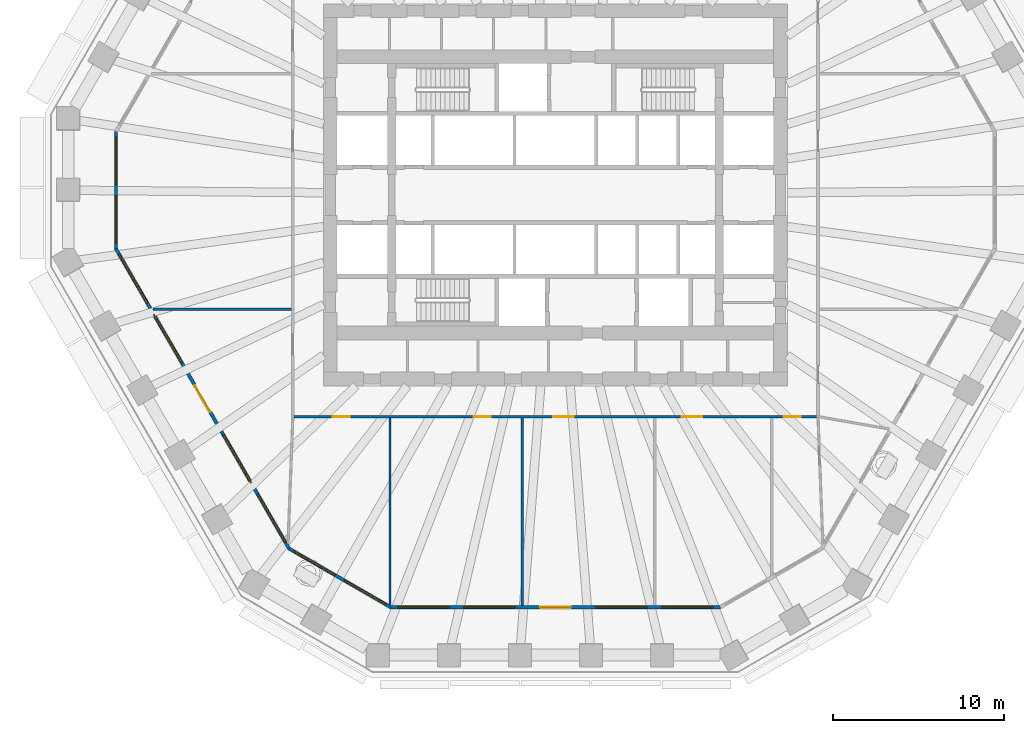
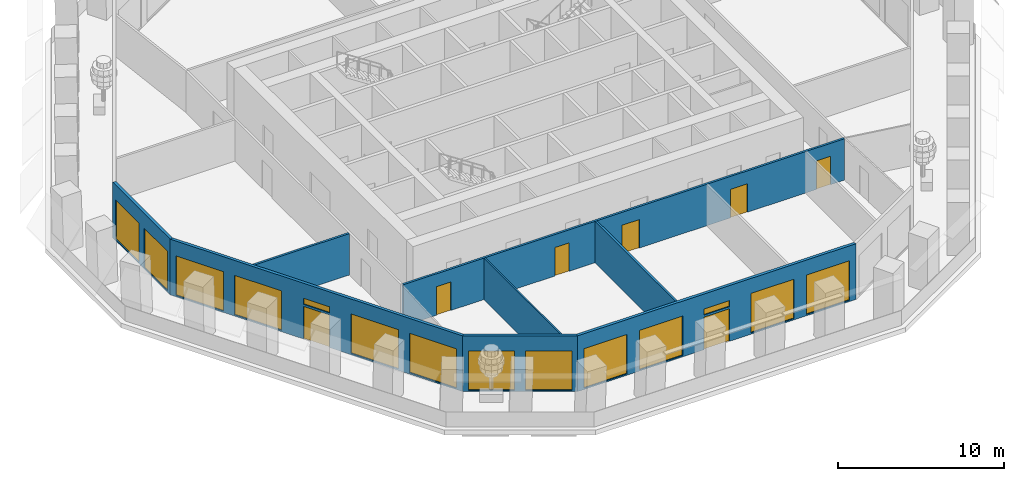
# One storey, part 3 of 12: 14 windows, 8 walls, 7 doors, 21 openings.
"""IFC4 building model written with IfcOpenShell, lengths in metres."""

import ifcopenshell
import ifcopenshell.guid

model = None  # the IFC model being written
_history = None  # IfcOwnerHistory: only IFC2X3 demands one
_inside = {}  # id of a spatial element -> (the spatial element, [elements in it])
_under = {}  # id of a project, library or spatial element -> (it, [spatial elements below it])
_declared = {}  # id of a project -> (the project, [libraries it declares])
_typed = {}  # id of a type object -> (the type object, [elements of that type])
_made_of = {}  # id of a material, layer set ... -> (it, [elements and type objects made of it])


def new_model(schema):
    """Start an empty IFC model of exactly this schema.

    Asked for "IFC4X3", IfcOpenShell would pick the latest addendum, in which some entities
    have other attributes; the version numbers below select the first issue.
    IFC2X3 requires an IfcOwnerHistory on every rooted entity: one is made here for all.
    """
    global model, _history
    if schema == "IFC4X3":
        model = ifcopenshell.file(schema_version=(4, 3, 0, 0))
    else:
        model = ifcopenshell.file(schema=schema)
    _inside.clear()
    _under.clear()
    _declared.clear()
    _typed.clear()
    _made_of.clear()
    _history = None
    if model.schema == "IFC2X3":
        org = make("IfcOrganization", Name="unknown")
        user = make(
            "IfcPersonAndOrganization",
            ThePerson=make("IfcPerson", FamilyName="unknown"),
            TheOrganization=org,
        )
        app = make(
            "IfcApplication",
            ApplicationDeveloper=org,
            Version="unknown",
            ApplicationFullName="unknown",
            ApplicationIdentifier="unknown",
        )
        _history = make(
            "IfcOwnerHistory",
            OwningUser=user,
            OwningApplication=app,
            ChangeAction="ADDED",
            CreationDate=0,
        )
    return model


def make(cls, **values):
    """One entity of the class cls with the attributes given. An attribute that is None is left unset."""
    return model.create_entity(
        cls, **{name: value for name, value in values.items() if value is not None}
    )


def rooted(cls, **values):
    """An entity with a GlobalId (a new one), such as an element, a storey or a relation."""
    return make(cls, GlobalId=ifcopenshell.guid.new(), OwnerHistory=_history, **values)


def si_unit(unit_type, name, prefix=None):
    """IfcSIUnit, for example si_unit("LENGTHUNIT", "METRE", prefix="MILLI")."""
    return make("IfcSIUnit", UnitType=unit_type, Prefix=prefix, Name=name)


def assignment(units):
    """IfcUnitAssignment: the units of a project."""
    return None if units is None else make("IfcUnitAssignment", Units=units)


def point(xyz):
    """IfcCartesianPoint."""
    return None if xyz is None else make("IfcCartesianPoint", Coordinates=xyz)


def direction(xyz):
    """IfcDirection."""
    return None if xyz is None else make("IfcDirection", DirectionRatios=xyz)


def frame(location, z_axis=None, x_axis=None):
    """IfcAxis2Placement3D, a coordinate frame: its origin and axes. An axis left out is left unset."""
    return make(
        "IfcAxis2Placement3D",
        Location=point(location),
        Axis=direction(z_axis),
        RefDirection=direction(x_axis),
    )


def frame_2d(location, x_axis=None):
    """IfcAxis2Placement2D, a coordinate frame in the plane: its origin and x axis."""
    return make(
        "IfcAxis2Placement2D", Location=point(location), RefDirection=direction(x_axis)
    )


def origin():
    """The frame at (0, 0, 0) with its axes left unset."""
    return frame((0.0, 0.0, 0.0))


def place(relative_to, where):
    """IfcLocalPlacement: puts the frame where relative to a parent placement (None: the world)."""
    return make(
        "IfcLocalPlacement", PlacementRelTo=relative_to, RelativePlacement=where
    )


def context(
    kind, dimensions, precision=None, world=None, true_north=None, identifier=None
):
    """IfcGeometricRepresentationContext, for example the 3D "Model" context."""
    return make(
        "IfcGeometricRepresentationContext",
        ContextIdentifier=identifier,
        ContextType=kind,
        CoordinateSpaceDimension=dimensions,
        Precision=precision,
        WorldCoordinateSystem=world,
        TrueNorth=true_north,
    )


def subcontext(parent, identifier, kind, view, scale=None):
    """IfcGeometricRepresentationSubContext, for example "Body" below "Model"."""
    return make(
        "IfcGeometricRepresentationSubContext",
        ContextIdentifier=identifier,
        ContextType=kind,
        ParentContext=parent,
        TargetScale=scale,
        TargetView=view,
    )


def project(units=None, contexts=None):
    """IfcProject with its units and contexts."""
    return rooted(
        "IfcProject",
        Name="project",
        RepresentationContexts=contexts,
        UnitsInContext=assignment(units),
    )


def spatial(cls, under=None, at=None, **own):
    """A site, building, storey or space (cls), placed at a placement, below another one or the project."""
    s = rooted(cls, ObjectPlacement=at, **own)
    if under is not None:
        _under.setdefault(under.id(), (under, []))[1].append(s)
    return s


def polyline(points):
    """IfcPolyline through the points."""
    return make("IfcPolyline", Points=[point(p) for p in points])


def profile(cls, at=None, kind="AREA", **sizes):
    """A parametric profile (cls). Its sizes go by their IFC names, for example OverallWidth=200.0."""
    return make(cls, ProfileType=kind, Position=at, **sizes)


def rectangle(**sizes):
    """IfcRectangleProfileDef."""
    return profile("IfcRectangleProfileDef", **sizes)


def outline(outer, holes=None, kind="AREA"):
    """IfcArbitraryClosedProfileDef: a profile drawn as a closed curve; with holes, ...WithVoids."""
    if holes is None:
        return make("IfcArbitraryClosedProfileDef", ProfileType=kind, OuterCurve=outer)
    return make(
        "IfcArbitraryProfileDefWithVoids",
        ProfileType=kind,
        OuterCurve=outer,
        InnerCurves=holes,
    )


def extrude(swept, where, along, depth):
    """IfcExtrudedAreaSolid: the profile swept, set in the frame where, extruded along a direction by depth."""
    return make(
        "IfcExtrudedAreaSolid",
        SweptArea=swept,
        Position=where,
        ExtrudedDirection=direction(along),
        Depth=depth,
    )


def shape(context_of_items, identifier, shape_type, items):
    """IfcShapeRepresentation: the items that make up one representation, for example the "Body"."""
    return make(
        "IfcShapeRepresentation",
        ContextOfItems=context_of_items,
        RepresentationIdentifier=identifier,
        RepresentationType=shape_type,
        Items=items,
    )


def material(Name=None, Category=None):
    """IfcMaterial."""
    return make("IfcMaterial", Name=Name, Category=Category)


def layer(
    of_material, thickness, ventilated=None, Name=None, Category=None, Priority=None
):
    """IfcMaterialLayer: one layer of a wall or slab, of a material (None: an air gap)."""
    return make(
        "IfcMaterialLayer",
        Material=of_material,
        LayerThickness=thickness,
        IsVentilated=ventilated,
        Name=Name,
        Category=Category,
        Priority=Priority,
    )


def layer_set(layers, Name=None):
    """IfcMaterialLayerSet."""
    return make("IfcMaterialLayerSet", MaterialLayers=layers, LayerSetName=Name)


def made_of(thing, what):
    """Note that an element or type object is made of a material, layer set ...; save() writes the relation."""
    if what is not None:
        _made_of.setdefault(what.id(), (what, []))[1].append(thing)
    return thing


def type_object(cls, material=None, **own):
    """A type object (cls), such as IfcWallType, which elements share."""
    return made_of(rooted(cls, **own), material)


def element(
    cls,
    number,
    at=None,
    inside=None,
    cuts=None,
    type_object=None,
    material=None,
    context=None,
    identifier="Body",
    shape_type=None,
    held_by="IfcProductDefinitionShape",
    body=None,
    shapes=None,
    **own,
):
    """One element of the class cls, such as IfcWall. Its Tag is "e" and its number.

    at: its placement. inside: the storey or other place that contains it. cuts: it is an
    opening in that element (IfcRelVoidsElement). A single representation is given by context,
    identifier, shape_type and body (its items); several are given by shapes. held_by: the class
    of the entity that holds the representations. save() writes the other relations.
    """
    e = rooted(cls, Tag="e%d" % number, ObjectPlacement=at, **own)
    if body is not None:
        shapes = [shape(context, identifier, shape_type, body)]
    if shapes is not None:
        e.Representation = make(held_by, Representations=shapes)
    if inside is not None:
        _inside.setdefault(inside.id(), (inside, []))[1].append(e)
    if cuts is not None:
        rooted(
            "IfcRelVoidsElement", RelatingBuildingElement=cuts, RelatedOpeningElement=e
        )
    if type_object is not None:
        _typed.setdefault(type_object.id(), (type_object, []))[1].append(e)
    return made_of(e, material)


def fill(opening, filler):
    """IfcRelFillsElement: the door or window that sits in an opening."""
    return rooted(
        "IfcRelFillsElement",
        RelatingOpeningElement=opening,
        RelatedBuildingElement=filler,
    )


def aggregate(whole, parts):
    """IfcRelAggregates: a whole, such as a stair, and the parts it consists of."""
    return rooted("IfcRelAggregates", RelatingObject=whole, RelatedObjects=parts)


def save(model, path):
    """Write the relations noted so far, then the file.

    IfcRelAggregates (storeys below a building ...), IfcRelContainedInSpatialStructure (elements
    in a storey), IfcRelDefinesByType, IfcRelAssociatesMaterial and IfcRelDeclares: one each for
    every whole, place, type object, material and project.
    """
    for whole, parts in _under.values():
        aggregate(whole, parts)
    for where, things in _inside.values():
        rooted(
            "IfcRelContainedInSpatialStructure",
            RelatedElements=things,
            RelatingStructure=where,
        )
    for kind, things in _typed.values():
        rooted("IfcRelDefinesByType", RelatedObjects=things, RelatingType=kind)
    for what, things in _made_of.values():
        rooted("IfcRelAssociatesMaterial", RelatedObjects=things, RelatingMaterial=what)
    for by, libraries in _declared.values():
        rooted("IfcRelDeclares", RelatingContext=by, RelatedDefinitions=libraries)
    model.write(path)


model = new_model("IFC4")

# Units and contexts
model_context = context("Model", 3, precision=1e-05, world=origin(), true_north=direction((0.0, 1.0)))
body_context = subcontext(model_context, "Body", "Model", "MODEL_VIEW")
ifc_project = project(units=[si_unit("LENGTHUNIT", "METRE"), si_unit("AREAUNIT", "SQUARE_METRE"), si_unit("VOLUMEUNIT", "CUBIC_METRE"), si_unit("PLANEANGLEUNIT", "RADIAN"), si_unit("MASSUNIT", "GRAM", prefix="KILO")], contexts=[model_context])

# Site, building, storey
site_placement = place(None, origin())
site = spatial("IfcSite", under=ifc_project, at=site_placement, CompositionType="ELEMENT")
building_placement = place(site_placement, origin())
building = spatial("IfcBuilding", under=site, at=building_placement, Name="Frailejon Research Tower", CompositionType="ELEMENT")
storey_placement = place(building_placement, frame((0.0, 0.0, 89.60009765625)))
storey = spatial("IfcBuildingStorey", under=building, at=storey_placement, Name="L19", CompositionType="ELEMENT", Elevation=89.60009765625)

# Wall, openings, doors
ifc_material_1 = material(Name="Gypsum board and masonry partition", Category="masonry")
ifc_layer_1 = layer(ifc_material_1, 0.14990234375)
ifc_layer_set_1 = layer_set([ifc_layer_1], Name="Corridor wall EI 60, gypsum on steel studs 150")
wall_type_1 = type_object("IfcWallType", Name="Corridor wall EI 60, gypsum on steel studs 150", PredefinedType="PARTITIONING", material=ifc_layer_set_1)
wall_1_placement = place(storey_placement, frame((-15.35009765625, -13.0, 0.0), z_axis=(0.0, 0.0, 1.0), x_axis=(1.0, 0.0, 0.0)))
wall_1 = element("IfcWall", 1, at=wall_1_placement, inside=storey, type_object=wall_type_1, Name="T:IW:L19:004", PredefinedType="PARTITIONING", context=body_context, shape_type="SweptSolid", body=[
    extrude(rectangle(XDim=30.7001953125, YDim=0.14990234375, at=frame_2d((15.35009765625, 0.0))), origin(), (0.0, 0.0, 1.0), 3.0498046875),
])
opening_1_placement = place(wall_1_placement, frame((2.301513671875, 0.0, 0.0)))
opening_1 = element("IfcOpeningElement", 2, at=opening_1_placement, cuts=wall_1, Name="Opening D1521", PredefinedType="OPENING", context=body_context, shape_type="SweptSolid", body=[
    extrude(rectangle(XDim=1.0, YDim=2.10009765625, at=frame_2d((0.5, 1.050048828125))), frame((0.0, 0.0849609375, 0.0), z_axis=(0.0, -1.0, 0.0), x_axis=(1.0, 0.0, 0.0)), (0.0, 0.0, 1.0), 0.169921875),
])
opening_2_placement = place(wall_1_placement, frame((10.54638671875, 0.0, 0.0)))
opening_2 = element("IfcOpeningElement", 3, at=opening_2_placement, cuts=wall_1, Name="Opening D1522", PredefinedType="OPENING", context=body_context, shape_type="SweptSolid", body=[
    extrude(rectangle(XDim=1.0, YDim=2.10009765625, at=frame_2d((0.5, 1.050048828125))), frame((0.0, 0.0849609375, 0.0), z_axis=(0.0, -1.0, 0.0), x_axis=(1.0, 0.0, 0.0)), (0.0, 0.0, 1.0), 0.169921875),
])
opening_3_placement = place(wall_1_placement, frame((15.22509765625, 0.0, 0.0)))
opening_3 = element("IfcOpeningElement", 4, at=opening_3_placement, cuts=wall_1, Name="Opening D1523", PredefinedType="OPENING", context=body_context, shape_type="SweptSolid", body=[
    extrude(rectangle(XDim=1.199951171875, YDim=2.10009765625, at=frame_2d((0.60009765625, 1.050048828125))), frame((0.0, 0.0849609375, 0.0), z_axis=(0.0, -1.0, 0.0), x_axis=(1.0, 0.0, 0.0)), (0.0, 0.0, 1.0), 0.169921875),
])
opening_4_placement = place(wall_1_placement, frame((22.7626953125, 0.0, 0.0)))
opening_4 = element("IfcOpeningElement", 5, at=opening_4_placement, cuts=wall_1, Name="Opening D1524", PredefinedType="OPENING", context=body_context, shape_type="SweptSolid", body=[
    extrude(rectangle(XDim=1.199951171875, YDim=2.10009765625, at=frame_2d((0.60009765625, 1.050048828125))), frame((0.0, 0.0849609375, 0.0), z_axis=(0.0, -1.0, 0.0), x_axis=(1.0, 0.0, 0.0)), (0.0, 0.0, 1.0), 0.169921875),
])
opening_5_placement = place(wall_1_placement, frame((28.747802734375, 0.0, 0.0)))
opening_5 = element("IfcOpeningElement", 6, at=opening_5_placement, cuts=wall_1, Name="Opening D1525", PredefinedType="OPENING", context=body_context, shape_type="SweptSolid", body=[
    extrude(rectangle(XDim=1.0, YDim=2.10009765625, at=frame_2d((0.5, 1.050048828125))), frame((0.0, 0.0849609375, 0.0), z_axis=(0.0, -1.0, 0.0), x_axis=(1.0, 0.0, 0.0)), (0.0, 0.0, 1.0), 0.169921875),
])
ifc_material_2 = material(Name="Timber door leaf", Category="wood")
door_type_1 = type_object("IfcDoorType", Name="Door laboratory, timber, vision panel 1200", OperationType="NOTDEFINED", PredefinedType="DOOR", material=ifc_material_2)
door_1_placement = place(opening_3_placement, origin())
door_1 = element("IfcDoor", 7, at=door_1_placement, inside=storey, type_object=door_type_1, Name="D1523", OperationType="DOUBLE_DOOR_SINGLE_SWING", OverallHeight=2.10009765625, OverallWidth=1.199951171875, PredefinedType="DOOR", context=body_context, shape_type="SweptSolid", body=[
    extrude(rectangle(XDim=1.199951171875, YDim=2.10009765625, at=frame_2d((0.60009765625, 1.050048828125))), frame((0.0, 0.02490234375, 0.0), z_axis=(0.0, -1.0, 0.0), x_axis=(1.0, 0.0, 0.0)), (0.0, 0.0, 1.0), 0.050048828125),
])
fill(opening_3, door_1)
door_2_placement = place(opening_4_placement, origin())
door_2 = element("IfcDoor", 8, at=door_2_placement, inside=storey, type_object=door_type_1, Name="D1524", OperationType="DOUBLE_DOOR_SINGLE_SWING", OverallHeight=2.10009765625, OverallWidth=1.199951171875, PredefinedType="DOOR", context=body_context, shape_type="SweptSolid", body=[
    extrude(rectangle(XDim=1.199951171875, YDim=2.10009765625, at=frame_2d((0.60009765625, 1.050048828125))), frame((0.0, 0.02490234375, 0.0), z_axis=(0.0, -1.0, 0.0), x_axis=(1.0, 0.0, 0.0)), (0.0, 0.0, 1.0), 0.050048828125),
])
fill(opening_4, door_2)
ifc_material_3 = material(Name="Timber door leaf", Category="wood")
door_type_2 = type_object("IfcDoorType", Name="Door single leaf, timber, steel frame 1000", OperationType="NOTDEFINED", PredefinedType="DOOR", material=ifc_material_3)
door_3_placement = place(opening_1_placement, origin())
door_3 = element("IfcDoor", 9, at=door_3_placement, inside=storey, type_object=door_type_2, Name="D1521", OperationType="SINGLE_SWING_LEFT", OverallHeight=2.10009765625, OverallWidth=1.0, PredefinedType="DOOR", context=body_context, shape_type="SweptSolid", body=[
    extrude(rectangle(XDim=1.0, YDim=2.10009765625, at=frame_2d((0.5, 1.050048828125))), frame((0.0, 0.02490234375, 0.0), z_axis=(0.0, -1.0, 0.0), x_axis=(1.0, 0.0, 0.0)), (0.0, 0.0, 1.0), 0.050048828125),
])
fill(opening_1, door_3)
door_4_placement = place(opening_2_placement, origin())
door_4 = element("IfcDoor", 10, at=door_4_placement, inside=storey, type_object=door_type_2, Name="D1522", OperationType="SINGLE_SWING_LEFT", OverallHeight=2.10009765625, OverallWidth=1.0, PredefinedType="DOOR", context=body_context, shape_type="SweptSolid", body=[
    extrude(rectangle(XDim=1.0, YDim=2.10009765625, at=frame_2d((0.5, 1.050048828125))), frame((0.0, 0.02490234375, 0.0), z_axis=(0.0, -1.0, 0.0), x_axis=(1.0, 0.0, 0.0)), (0.0, 0.0, 1.0), 0.050048828125),
])
fill(opening_2, door_4)
door_5_placement = place(opening_5_placement, origin())
door_5 = element("IfcDoor", 11, at=door_5_placement, inside=storey, type_object=door_type_2, Name="D1525", OperationType="SINGLE_SWING_RIGHT", OverallHeight=2.10009765625, OverallWidth=1.0, PredefinedType="DOOR", context=body_context, shape_type="SweptSolid", body=[
    extrude(rectangle(XDim=1.0, YDim=2.10009765625, at=frame_2d((0.5, 1.050048828125))), frame((0.0, 0.02490234375, 0.0), z_axis=(0.0, -1.0, 0.0), x_axis=(1.0, 0.0, 0.0)), (0.0, 0.0, 1.0), 0.050048828125),
])
fill(opening_5, door_5)

# Walls
ifc_material_4 = material(Name="Gypsum board and masonry partition", Category="masonry")
ifc_layer_2 = layer(ifc_material_4, 0.14990234375)
ifc_layer_set_2 = layer_set([ifc_layer_2], Name="Laboratory partition, blockwork 150")
wall_type_2 = type_object("IfcWallType", Name="Laboratory partition, blockwork 150", PredefinedType="PARTITIONING", material=ifc_layer_set_2)
wall_2_placement = place(storey_placement, frame((-23.6064453125, -6.71240234375, 0.0), z_axis=(0.0, 0.0, 1.0), x_axis=(1.0, 0.0, 0.0)))
element("IfcWall", 12, at=wall_2_placement, inside=storey, type_object=wall_type_2, Name="T:IW:L19:007", PredefinedType="PARTITIONING", context=body_context, shape_type="SweptSolid", body=[
    extrude(rectangle(XDim=8.13134765625, YDim=0.14990234375, at=frame_2d((4.065673828125, 0.0))), origin(), (0.0, 0.0, 1.0), 3.0498046875),
])
wall_3_placement = place(storey_placement, frame((-1.939208984375, -24.07666015625, 0.0), z_axis=(0.0, 0.0, 1.0), x_axis=(0.0, 1.0, 0.0)))
element("IfcWall", 13, at=wall_3_placement, inside=storey, type_object=wall_type_2, Name="T:IW:L19:011", PredefinedType="PARTITIONING", context=body_context, shape_type="SweptSolid", body=[
    extrude(rectangle(XDim=11.001708984375, YDim=0.14990234375, at=frame_2d((5.5009765625, 0.0))), origin(), (0.0, 0.0, 1.0), 3.0498046875),
])
ifc_material_5 = material(Name="Gypsum board and masonry partition", Category="masonry")
ifc_layer_3 = layer(ifc_material_5, 0.10009765625)
ifc_layer_set_3 = layer_set([ifc_layer_3], Name="Partition, gypsum on steel studs 100")
wall_type_3 = type_object("IfcWallType", Name="Partition, gypsum on steel studs 100", PredefinedType="PARTITIONING", material=ifc_layer_set_3)
wall_4_placement = place(storey_placement, frame((-9.69677734375, -24.045654296875, 0.0), z_axis=(0.0, 0.0, 1.0), x_axis=(0.0, 1.0, 0.0)))
element("IfcWall", 14, at=wall_4_placement, inside=storey, type_object=wall_type_3, Name="T:IW:L19:017", PredefinedType="PARTITIONING", context=body_context, shape_type="SweptSolid", body=[
    extrude(rectangle(XDim=10.970703125, YDim=0.10009765625, at=frame_2d((5.4853515625, 0.0))), origin(), (0.0, 0.0, 1.0), 3.0498046875),
])

# Wall, openings, windows
ifc_material_6 = material(Name="Concrete C40/50 precast window wall panel", Category="concrete")
ifc_layer_4 = layer(ifc_material_6, 0.199951171875)
ifc_layer_set_4 = layer_set([ifc_layer_4], Name="Window wall 200")
wall_type_4 = type_object("IfcWallType", Name="Window wall 200", PredefinedType="SOLIDWALL", material=ifc_layer_set_4)
wall_5_placement = place(storey_placement, frame((-25.7724609375, 3.7138671875, 0.0), z_axis=(0.0, 0.0, 1.0), x_axis=(0.0, -1.0, 0.0)))
wall_5 = element("IfcWall", 15, at=wall_5_placement, inside=storey, type_object=wall_type_4, Name="Exterior wall L19", PredefinedType="SOLIDWALL", context=body_context, shape_type="SweptSolid", body=[
    extrude(outline(polyline([(-0.02685546875, -0.10009765625), (1.1279296875, -0.10009765625), (2.28271484375, -0.10009765625), (3.4375, -0.10009765625), (4.592041015625, -0.10009765625), (5.746826171875, -0.10009765625), (6.901611328125, -0.10009765625), (6.847900390625, 0.10009765625), (5.7109375, 0.10009765625), (4.57421875, 0.10009765625), (3.4375, 0.10009765625), (2.300537109375, 0.10009765625), (1.16357421875, 0.10009765625), (0.02685546875, 0.10009765625), (-0.02685546875, -0.10009765625)])), origin(), (0.0, 0.0, 1.0), 4.099853515625),
])
opening_6_placement = place(wall_5_placement, frame((0.318603515625, 0.0, 0.10009765625)))
opening_6 = element("IfcOpeningElement", 16, at=opening_6_placement, cuts=wall_5, Name="Opening W3", PredefinedType="OPENING", context=body_context, shape_type="SweptSolid", body=[
    extrude(rectangle(XDim=2.800048828125, YDim=2.89990234375, at=frame_2d((1.39990234375, 1.449951171875))), frame((0.0, 0.10986328125, 0.0), z_axis=(0.0, -1.0, 0.0), x_axis=(1.0, 0.0, 0.0)), (0.0, 0.0, 1.0), 0.219970703125),
])
opening_7_placement = place(wall_5_placement, frame((3.756103515625, 0.0, 0.10009765625)))
opening_7 = element("IfcOpeningElement", 17, at=opening_7_placement, cuts=wall_5, Name="Opening W3", PredefinedType="OPENING", context=body_context, shape_type="SweptSolid", body=[
    extrude(rectangle(XDim=2.800048828125, YDim=2.89990234375, at=frame_2d((1.39990234375, 1.449951171875))), frame((0.0, 0.10986328125, 0.0), z_axis=(0.0, -1.0, 0.0), x_axis=(1.0, 0.0, 0.0)), (0.0, 0.0, 1.0), 0.219970703125),
])
ifc_material_7 = material(Name="Aluminium framed double glazing", Category="aluminium")
window_type_1 = type_object("IfcWindowType", Name="Window 2800x2900", PartitioningType="SINGLE_PANEL", PredefinedType="WINDOW", material=ifc_material_7)
window_1_placement = place(opening_6_placement, origin())
window_1 = element("IfcWindow", 18, at=window_1_placement, inside=storey, type_object=window_type_1, Name="Window L19", OverallHeight=2.89990234375, OverallWidth=2.800048828125, PartitioningType="SINGLE_PANEL", PredefinedType="WINDOW", context=body_context, shape_type="SweptSolid", body=[
    extrude(rectangle(XDim=2.800048828125, YDim=2.89990234375, at=frame_2d((1.39990234375, 1.449951171875))), frame((0.0, 0.030029296875, 0.0), z_axis=(0.0, -1.0, 0.0), x_axis=(1.0, 0.0, 0.0)), (0.0, 0.0, 1.0), 0.06005859375),
])
fill(opening_6, window_1)
window_2_placement = place(opening_7_placement, origin())
window_2 = element("IfcWindow", 19, at=window_2_placement, inside=storey, type_object=window_type_1, Name="Window L19", OverallHeight=2.89990234375, OverallWidth=2.800048828125, PartitioningType="SINGLE_PANEL", PredefinedType="WINDOW", context=body_context, shape_type="SweptSolid", body=[
    extrude(rectangle(XDim=2.800048828125, YDim=2.89990234375, at=frame_2d((1.39990234375, 1.449951171875))), frame((0.0, 0.030029296875, 0.0), z_axis=(0.0, -1.0, 0.0), x_axis=(1.0, 0.0, 0.0)), (0.0, 0.0, 1.0), 0.06005859375),
])
fill(opening_7, window_2)

# Wall, openings, door, windows
wall_6_placement = place(storey_placement, frame((-25.7724609375, -3.160888671875, 0.0), z_axis=(0.0, 0.0, 1.0), x_axis=(0.500001833672, -0.866024345111, 0.0)))
wall_6 = element("IfcWall", 20, at=wall_6_placement, inside=storey, type_object=wall_type_4, Name="Exterior wall L19", PredefinedType="SOLIDWALL", context=body_context, shape_type="SweptSolid", body=[
    extrude(outline(polyline([(-0.02685546875, -0.10009765625), (0.99072265625, -0.10009765625), (2.00830078125, -0.10009765625), (3.02587890625, -0.10009765625), (4.04345703125, -0.10009765625), (5.06103515625, -0.10009765625), (6.07861328125, -0.10009765625), (7.09619140625, -0.10009765625), (8.11376953125, -0.10009765625), (9.13134765625, -0.10009765625), (10.14892578125, -0.10009765625), (11.16650390625, -0.10009765625), (12.18408203125, -0.10009765625), (13.20166015625, -0.10009765625), (14.21923828125, -0.10009765625), (15.23681640625, -0.10009765625), (16.25439453125, -0.10009765625), (17.27197265625, -0.10009765625), (18.28955078125, -0.10009765625), (19.30712890625, -0.10009765625), (20.32470703125, -0.10009765625), (20.27099609375, 0.10009765625), (19.2587890625, 0.10009765625), (18.24658203125, 0.10009765625), (17.234375, 0.10009765625), (16.22216796875, 0.10009765625), (15.2099609375, 0.10009765625), (14.19775390625, 0.10009765625), (13.185546875, 0.10009765625), (12.17333984375, 0.10009765625), (11.1611328125, 0.10009765625), (10.14892578125, 0.10009765625), (9.13671875, 0.10009765625), (8.12451171875, 0.10009765625), (7.1123046875, 0.10009765625), (6.10009765625, 0.10009765625), (5.087890625, 0.10009765625), (4.07568359375, 0.10009765625), (3.0634765625, 0.10009765625), (2.05126953125, 0.10009765625), (1.0390625, 0.10009765625), (0.02685546875, 0.10009765625), (-0.02685546875, -0.10009765625)])), origin(), (0.0, 0.0, 1.0), 4.099853515625),
])
opening_8_placement = place(wall_6_placement, frame((0.3798828125, 0.0, 0.10009765625)))
opening_8 = element("IfcOpeningElement", 21, at=opening_8_placement, cuts=wall_6, Name="Opening W5", PredefinedType="OPENING", context=body_context, shape_type="SweptSolid", body=[
    extrude(rectangle(XDim=3.300048828125, YDim=2.89990234375, at=frame_2d((1.64990234375, 1.449951171875))), frame((0.0, 0.10986328125, 0.0), z_axis=(0.0, -1.0, 0.0), x_axis=(1.0, 0.0, 0.0)), (0.0, 0.0, 1.0), 0.219970703125),
])
opening_9_placement = place(wall_6_placement, frame((4.439453125, 0.0, 0.10009765625)))
opening_9 = element("IfcOpeningElement", 22, at=opening_9_placement, cuts=wall_6, Name="Opening W5", PredefinedType="OPENING", context=body_context, shape_type="SweptSolid", body=[
    extrude(rectangle(XDim=3.300048828125, YDim=2.89990234375, at=frame_2d((1.64990234375, 1.449951171875))), frame((0.0, 0.10986328125, 0.0), z_axis=(0.0, -1.0, 0.0), x_axis=(1.0, 0.0, 0.0)), (0.0, 0.0, 1.0), 0.219970703125),
])
opening_10_placement = place(wall_6_placement, frame((9.248779296875, 0.0, 0.0)))
opening_10 = element("IfcOpeningElement", 23, at=opening_10_placement, cuts=wall_6, Name="Opening LG19-4", PredefinedType="OPENING", context=body_context, shape_type="SweptSolid", body=[
    extrude(rectangle(XDim=1.800048828125, YDim=2.39990234375, at=frame_2d((0.89990234375, 1.199951171875))), frame((0.0, 0.10986328125, 0.0), z_axis=(0.0, -1.0, 0.0), x_axis=(1.0, 0.0, 0.0)), (0.0, 0.0, 1.0), 0.219970703125),
])
opening_11_placement = place(wall_6_placement, frame((9.248779296875, 0.0, 2.550048828125)))
opening_11 = element("IfcOpeningElement", 24, at=opening_11_placement, cuts=wall_6, Name="Opening W1", PredefinedType="OPENING", context=body_context, shape_type="SweptSolid", body=[
    extrude(rectangle(XDim=1.800048828125, YDim=0.449951171875, at=frame_2d((0.89990234375, 0.22509765625))), frame((0.0, 0.10986328125, 0.0), z_axis=(0.0, -1.0, 0.0), x_axis=(1.0, 0.0, 0.0)), (0.0, 0.0, 1.0), 0.219970703125),
])
opening_12_placement = place(wall_6_placement, frame((12.55859375, 0.0, 0.10009765625)))
opening_12 = element("IfcOpeningElement", 25, at=opening_12_placement, cuts=wall_6, Name="Opening W5", PredefinedType="OPENING", context=body_context, shape_type="SweptSolid", body=[
    extrude(rectangle(XDim=3.300048828125, YDim=2.89990234375, at=frame_2d((1.64990234375, 1.449951171875))), frame((0.0, 0.10986328125, 0.0), z_axis=(0.0, -1.0, 0.0), x_axis=(1.0, 0.0, 0.0)), (0.0, 0.0, 1.0), 0.219970703125),
])
opening_13_placement = place(wall_6_placement, frame((16.6181640625, 0.0, 0.10009765625)))
opening_13 = element("IfcOpeningElement", 26, at=opening_13_placement, cuts=wall_6, Name="Opening W5", PredefinedType="OPENING", context=body_context, shape_type="SweptSolid", body=[
    extrude(rectangle(XDim=3.300048828125, YDim=2.89990234375, at=frame_2d((1.64990234375, 1.449951171875))), frame((0.0, 0.10986328125, 0.0), z_axis=(0.0, -1.0, 0.0), x_axis=(1.0, 0.0, 0.0)), (0.0, 0.0, 1.0), 0.219970703125),
])
ifc_material_8 = material(Name="Aluminium framed glazed door leaf", Category="aluminium")
door_type_3 = type_object("IfcDoorType", Name="Loggia door 1800x2400", OperationType="DOUBLE_DOOR_SINGLE_SWING", PredefinedType="DOOR", material=ifc_material_8)
door_6_placement = place(opening_10_placement, origin())
door_6 = element("IfcDoor", 27, at=door_6_placement, inside=storey, type_object=door_type_3, Name="Door LG19-4", OperationType="DOUBLE_DOOR_SINGLE_SWING", OverallHeight=2.39990234375, OverallWidth=1.800048828125, PredefinedType="DOOR", context=body_context, shape_type="SweptSolid", body=[
    extrude(rectangle(XDim=1.800048828125, YDim=2.39990234375, at=frame_2d((0.89990234375, 1.199951171875))), frame((0.0, 0.02490234375, 0.0), z_axis=(0.0, -1.0, 0.0), x_axis=(1.0, 0.0, 0.0)), (0.0, 0.0, 1.0), 0.050048828125),
])
fill(opening_10, door_6)
ifc_material_9 = material(Name="Aluminium framed double glazing", Category="aluminium")
window_type_2 = type_object("IfcWindowType", Name="Window 1800x450", PartitioningType="SINGLE_PANEL", PredefinedType="WINDOW", material=ifc_material_9)
window_3_placement = place(opening_11_placement, origin())
window_3 = element("IfcWindow", 28, at=window_3_placement, inside=storey, type_object=window_type_2, Name="Window L19", OverallHeight=0.449951171875, OverallWidth=1.800048828125, PartitioningType="SINGLE_PANEL", PredefinedType="WINDOW", context=body_context, shape_type="SweptSolid", body=[
    extrude(rectangle(XDim=1.800048828125, YDim=0.449951171875, at=frame_2d((0.89990234375, 0.22509765625))), frame((0.0, 0.030029296875, 0.0), z_axis=(0.0, -1.0, 0.0), x_axis=(1.0, 0.0, 0.0)), (0.0, 0.0, 1.0), 0.06005859375),
])
fill(opening_11, window_3)
ifc_material_10 = material(Name="Aluminium framed double glazing", Category="aluminium")
window_type_3 = type_object("IfcWindowType", Name="Window 3300x2900", PartitioningType="SINGLE_PANEL", PredefinedType="WINDOW", material=ifc_material_10)
window_4_placement = place(opening_8_placement, origin())
window_4 = element("IfcWindow", 29, at=window_4_placement, inside=storey, type_object=window_type_3, Name="Window L19", OverallHeight=2.89990234375, OverallWidth=3.300048828125, PartitioningType="SINGLE_PANEL", PredefinedType="WINDOW", context=body_context, shape_type="SweptSolid", body=[
    extrude(rectangle(XDim=3.300048828125, YDim=2.89990234375, at=frame_2d((1.64990234375, 1.449951171875))), frame((0.0, 0.030029296875, 0.0), z_axis=(0.0, -1.0, 0.0), x_axis=(1.0, 0.0, 0.0)), (0.0, 0.0, 1.0), 0.06005859375),
])
fill(opening_8, window_4)
window_5_placement = place(opening_9_placement, origin())
window_5 = element("IfcWindow", 30, at=window_5_placement, inside=storey, type_object=window_type_3, Name="Window L19", OverallHeight=2.89990234375, OverallWidth=3.300048828125, PartitioningType="SINGLE_PANEL", PredefinedType="WINDOW", context=body_context, shape_type="SweptSolid", body=[
    extrude(rectangle(XDim=3.300048828125, YDim=2.89990234375, at=frame_2d((1.64990234375, 1.449951171875))), frame((0.0, 0.030029296875, 0.0), z_axis=(0.0, -1.0, 0.0), x_axis=(1.0, 0.0, 0.0)), (0.0, 0.0, 1.0), 0.06005859375),
])
fill(opening_9, window_5)
window_6_placement = place(opening_12_placement, origin())
window_6 = element("IfcWindow", 31, at=window_6_placement, inside=storey, type_object=window_type_3, Name="Window L19", OverallHeight=2.89990234375, OverallWidth=3.300048828125, PartitioningType="SINGLE_PANEL", PredefinedType="WINDOW", context=body_context, shape_type="SweptSolid", body=[
    extrude(rectangle(XDim=3.300048828125, YDim=2.89990234375, at=frame_2d((1.64990234375, 1.449951171875))), frame((0.0, 0.030029296875, 0.0), z_axis=(0.0, -1.0, 0.0), x_axis=(1.0, 0.0, 0.0)), (0.0, 0.0, 1.0), 0.06005859375),
])
fill(opening_12, window_6)
window_7_placement = place(opening_13_placement, origin())
window_7 = element("IfcWindow", 32, at=window_7_placement, inside=storey, type_object=window_type_3, Name="Window L19", OverallHeight=2.89990234375, OverallWidth=3.300048828125, PartitioningType="SINGLE_PANEL", PredefinedType="WINDOW", context=body_context, shape_type="SweptSolid", body=[
    extrude(rectangle(XDim=3.300048828125, YDim=2.89990234375, at=frame_2d((1.64990234375, 1.449951171875))), frame((0.0, 0.030029296875, 0.0), z_axis=(0.0, -1.0, 0.0), x_axis=(1.0, 0.0, 0.0)), (0.0, 0.0, 1.0), 0.06005859375),
])
fill(opening_13, window_7)

# Wall, openings, windows
wall_7_placement = place(storey_placement, frame((-15.62353515625, -20.7392578125, 0.0), z_axis=(0.0, 0.0, 1.0), x_axis=(0.866029458321, -0.49999297727, 0.0)))
wall_7 = element("IfcWall", 33, at=wall_7_placement, inside=storey, type_object=wall_type_4, Name="Exterior wall L19", PredefinedType="SOLIDWALL", context=body_context, shape_type="SweptSolid", body=[
    extrude(outline(polyline([(-0.02685546875, -0.10009765625), (1.1279296875, -0.10009765625), (2.282470703125, -0.10009765625), (3.437255859375, -0.10009765625), (4.592041015625, -0.10009765625), (5.74658203125, -0.10009765625), (6.9013671875, -0.10009765625), (6.84765625, 0.10009765625), (5.7109375, 0.10009765625), (4.573974609375, 0.10009765625), (3.437255859375, 0.10009765625), (2.300537109375, 0.10009765625), (1.16357421875, 0.10009765625), (0.02685546875, 0.10009765625), (-0.02685546875, -0.10009765625)])), origin(), (0.0, 0.0, 1.0), 4.099853515625),
])
opening_14_placement = place(wall_7_placement, frame((0.318603515625, 0.0, 0.10009765625)))
opening_14 = element("IfcOpeningElement", 34, at=opening_14_placement, cuts=wall_7, Name="Opening W3", PredefinedType="OPENING", context=body_context, shape_type="SweptSolid", body=[
    extrude(rectangle(XDim=2.800048828125, YDim=2.89990234375, at=frame_2d((1.39990234375, 1.449951171875))), frame((0.0, 0.10986328125, 0.0), z_axis=(0.0, -1.0, 0.0), x_axis=(1.0, 0.0, 0.0)), (0.0, 0.0, 1.0), 0.219970703125),
])
opening_15_placement = place(wall_7_placement, frame((3.756103515625, 0.0, 0.10009765625)))
opening_15 = element("IfcOpeningElement", 35, at=opening_15_placement, cuts=wall_7, Name="Opening W3", PredefinedType="OPENING", context=body_context, shape_type="SweptSolid", body=[
    extrude(rectangle(XDim=2.800048828125, YDim=2.89990234375, at=frame_2d((1.39990234375, 1.449951171875))), frame((0.0, 0.10986328125, 0.0), z_axis=(0.0, -1.0, 0.0), x_axis=(1.0, 0.0, 0.0)), (0.0, 0.0, 1.0), 0.219970703125),
])
window_8_placement = place(opening_14_placement, origin())
window_8 = element("IfcWindow", 36, at=window_8_placement, inside=storey, type_object=window_type_1, Name="Window L19", OverallHeight=2.89990234375, OverallWidth=2.800048828125, PartitioningType="SINGLE_PANEL", PredefinedType="WINDOW", context=body_context, shape_type="SweptSolid", body=[
    extrude(rectangle(XDim=2.800048828125, YDim=2.89990234375, at=frame_2d((1.39990234375, 1.449951171875))), frame((0.0, 0.030029296875, 0.0), z_axis=(0.0, -1.0, 0.0), x_axis=(1.0, 0.0, 0.0)), (0.0, 0.0, 1.0), 0.06005859375),
])
fill(opening_14, window_8)
window_9_placement = place(opening_15_placement, origin())
window_9 = element("IfcWindow", 37, at=window_9_placement, inside=storey, type_object=window_type_1, Name="Window L19", OverallHeight=2.89990234375, OverallWidth=2.800048828125, PartitioningType="SINGLE_PANEL", PredefinedType="WINDOW", context=body_context, shape_type="SweptSolid", body=[
    extrude(rectangle(XDim=2.800048828125, YDim=2.89990234375, at=frame_2d((1.39990234375, 1.449951171875))), frame((0.0, 0.030029296875, 0.0), z_axis=(0.0, -1.0, 0.0), x_axis=(1.0, 0.0, 0.0)), (0.0, 0.0, 1.0), 0.06005859375),
])
fill(opening_15, window_9)

# Wall, openings, door, windows
wall_8_placement = place(storey_placement, frame((-9.669921875, -24.176513671875, 0.0), z_axis=(0.0, 0.0, 1.0), x_axis=(1.0, 0.0, 0.0)))
wall_8 = element("IfcWall", 38, at=wall_8_placement, inside=storey, type_object=wall_type_4, Name="Exterior wall L19", PredefinedType="SOLIDWALL", context=body_context, shape_type="SweptSolid", body=[
    extrude(outline(polyline([(-0.02685546875, -0.10009765625), (0.993896484375, -0.10009765625), (2.0146484375, -0.10009765625), (3.035400390625, -0.10009765625), (4.055908203125, -0.10009765625), (5.07666015625, -0.10009765625), (6.097412109375, -0.10009765625), (7.1181640625, -0.10009765625), (8.138916015625, -0.10009765625), (9.15966796875, -0.10009765625), (10.18017578125, -0.10009765625), (11.200927734375, -0.10009765625), (12.2216796875, -0.10009765625), (13.242431640625, -0.10009765625), (14.26318359375, -0.10009765625), (15.283935546875, -0.10009765625), (16.304443359375, -0.10009765625), (17.3251953125, -0.10009765625), (18.345947265625, -0.10009765625), (19.36669921875, -0.10009765625), (19.31298828125, 0.10009765625), (18.2978515625, 0.10009765625), (17.282958984375, 0.10009765625), (16.267822265625, 0.10009765625), (15.252685546875, 0.10009765625), (14.23779296875, 0.10009765625), (13.22265625, 0.10009765625), (12.20751953125, 0.10009765625), (11.192626953125, 0.10009765625), (10.177490234375, 0.10009765625), (9.162353515625, 0.10009765625), (8.147216796875, 0.10009765625), (7.13232421875, 0.10009765625), (6.1171875, 0.10009765625), (5.10205078125, 0.10009765625), (4.087158203125, 0.10009765625), (3.072021484375, 0.10009765625), (2.056884765625, 0.10009765625), (1.0419921875, 0.10009765625), (0.02685546875, 0.10009765625), (-0.02685546875, -0.10009765625)])), origin(), (0.0, 0.0, 1.0), 4.099853515625),
])
opening_16_placement = place(wall_8_placement, frame((0.43408203125, 0.0, 0.10009765625)))
opening_16 = element("IfcOpeningElement", 39, at=opening_16_placement, cuts=wall_8, Name="Opening W4", PredefinedType="OPENING", context=body_context, shape_type="SweptSolid", body=[
    extrude(rectangle(XDim=3.0, YDim=2.89990234375, at=frame_2d((1.5, 1.449951171875))), frame((0.0, 0.10986328125, 0.0), z_axis=(0.0, -1.0, 0.0), x_axis=(1.0, 0.0, 0.0)), (0.0, 0.0, 1.0), 0.219970703125),
])
opening_17_placement = place(wall_8_placement, frame((4.302001953125, 0.0, 0.10009765625)))
opening_17 = element("IfcOpeningElement", 40, at=opening_17_placement, cuts=wall_8, Name="Opening W4", PredefinedType="OPENING", context=body_context, shape_type="SweptSolid", body=[
    extrude(rectangle(XDim=3.0, YDim=2.89990234375, at=frame_2d((1.5, 1.449951171875))), frame((0.0, 0.10986328125, 0.0), z_axis=(0.0, -1.0, 0.0), x_axis=(1.0, 0.0, 0.0)), (0.0, 0.0, 1.0), 0.219970703125),
])
opening_18_placement = place(wall_8_placement, frame((8.77001953125, 0.0, 0.0)))
opening_18 = element("IfcOpeningElement", 41, at=opening_18_placement, cuts=wall_8, Name="Opening LG19-5", PredefinedType="OPENING", context=body_context, shape_type="SweptSolid", body=[
    extrude(rectangle(XDim=1.800048828125, YDim=2.39990234375, at=frame_2d((0.89990234375, 1.199951171875))), frame((0.0, 0.10986328125, 0.0), z_axis=(0.0, -1.0, 0.0), x_axis=(1.0, 0.0, 0.0)), (0.0, 0.0, 1.0), 0.219970703125),
])
opening_19_placement = place(wall_8_placement, frame((8.77001953125, 0.0, 2.550048828125)))
opening_19 = element("IfcOpeningElement", 42, at=opening_19_placement, cuts=wall_8, Name="Opening W1", PredefinedType="OPENING", context=body_context, shape_type="SweptSolid", body=[
    extrude(rectangle(XDim=1.800048828125, YDim=0.449951171875, at=frame_2d((0.89990234375, 0.22509765625))), frame((0.0, 0.10986328125, 0.0), z_axis=(0.0, -1.0, 0.0), x_axis=(1.0, 0.0, 0.0)), (0.0, 0.0, 1.0), 0.219970703125),
])
opening_20_placement = place(wall_8_placement, frame((12.037841796875, 0.0, 0.10009765625)))
opening_20 = element("IfcOpeningElement", 43, at=opening_20_placement, cuts=wall_8, Name="Opening W4", PredefinedType="OPENING", context=body_context, shape_type="SweptSolid", body=[
    extrude(rectangle(XDim=3.0, YDim=2.89990234375, at=frame_2d((1.5, 1.449951171875))), frame((0.0, 0.10986328125, 0.0), z_axis=(0.0, -1.0, 0.0), x_axis=(1.0, 0.0, 0.0)), (0.0, 0.0, 1.0), 0.219970703125),
])
opening_21_placement = place(wall_8_placement, frame((15.906005859375, 0.0, 0.10009765625)))
opening_21 = element("IfcOpeningElement", 44, at=opening_21_placement, cuts=wall_8, Name="Opening W4", PredefinedType="OPENING", context=body_context, shape_type="SweptSolid", body=[
    extrude(rectangle(XDim=3.0, YDim=2.89990234375, at=frame_2d((1.5, 1.449951171875))), frame((0.0, 0.10986328125, 0.0), z_axis=(0.0, -1.0, 0.0), x_axis=(1.0, 0.0, 0.0)), (0.0, 0.0, 1.0), 0.219970703125),
])
door_7_placement = place(opening_18_placement, origin())
door_7 = element("IfcDoor", 45, at=door_7_placement, inside=storey, type_object=door_type_3, Name="Door LG19-5", OperationType="DOUBLE_DOOR_SINGLE_SWING", OverallHeight=2.39990234375, OverallWidth=1.800048828125, PredefinedType="DOOR", context=body_context, shape_type="SweptSolid", body=[
    extrude(rectangle(XDim=1.800048828125, YDim=2.39990234375, at=frame_2d((0.89990234375, 1.199951171875))), frame((0.0, 0.02490234375, 0.0), z_axis=(0.0, -1.0, 0.0), x_axis=(1.0, 0.0, 0.0)), (0.0, 0.0, 1.0), 0.050048828125),
])
fill(opening_18, door_7)
window_10_placement = place(opening_19_placement, origin())
window_10 = element("IfcWindow", 46, at=window_10_placement, inside=storey, type_object=window_type_2, Name="Window L19", OverallHeight=0.449951171875, OverallWidth=1.800048828125, PartitioningType="SINGLE_PANEL", PredefinedType="WINDOW", context=body_context, shape_type="SweptSolid", body=[
    extrude(rectangle(XDim=1.800048828125, YDim=0.449951171875, at=frame_2d((0.89990234375, 0.22509765625))), frame((0.0, 0.030029296875, 0.0), z_axis=(0.0, -1.0, 0.0), x_axis=(1.0, 0.0, 0.0)), (0.0, 0.0, 1.0), 0.06005859375),
])
fill(opening_19, window_10)
ifc_material_11 = material(Name="Aluminium framed double glazing", Category="aluminium")
window_type_4 = type_object("IfcWindowType", Name="Window 3000x2900", PartitioningType="SINGLE_PANEL", PredefinedType="WINDOW", material=ifc_material_11)
window_11_placement = place(opening_16_placement, origin())
window_11 = element("IfcWindow", 47, at=window_11_placement, inside=storey, type_object=window_type_4, Name="Window L19", OverallHeight=2.89990234375, OverallWidth=3.0, PartitioningType="SINGLE_PANEL", PredefinedType="WINDOW", context=body_context, shape_type="SweptSolid", body=[
    extrude(rectangle(XDim=3.0, YDim=2.89990234375, at=frame_2d((1.5, 1.449951171875))), frame((0.0, 0.030029296875, 0.0), z_axis=(0.0, -1.0, 0.0), x_axis=(1.0, 0.0, 0.0)), (0.0, 0.0, 1.0), 0.06005859375),
])
fill(opening_16, window_11)
window_12_placement = place(opening_17_placement, origin())
window_12 = element("IfcWindow", 48, at=window_12_placement, inside=storey, type_object=window_type_4, Name="Window L19", OverallHeight=2.89990234375, OverallWidth=3.0, PartitioningType="SINGLE_PANEL", PredefinedType="WINDOW", context=body_context, shape_type="SweptSolid", body=[
    extrude(rectangle(XDim=3.0, YDim=2.89990234375, at=frame_2d((1.5, 1.449951171875))), frame((0.0, 0.030029296875, 0.0), z_axis=(0.0, -1.0, 0.0), x_axis=(1.0, 0.0, 0.0)), (0.0, 0.0, 1.0), 0.06005859375),
])
fill(opening_17, window_12)
window_13_placement = place(opening_20_placement, origin())
window_13 = element("IfcWindow", 49, at=window_13_placement, inside=storey, type_object=window_type_4, Name="Window L19", OverallHeight=2.89990234375, OverallWidth=3.0, PartitioningType="SINGLE_PANEL", PredefinedType="WINDOW", context=body_context, shape_type="SweptSolid", body=[
    extrude(rectangle(XDim=3.0, YDim=2.89990234375, at=frame_2d((1.5, 1.449951171875))), frame((0.0, 0.030029296875, 0.0), z_axis=(0.0, -1.0, 0.0), x_axis=(1.0, 0.0, 0.0)), (0.0, 0.0, 1.0), 0.06005859375),
])
fill(opening_20, window_13)
window_14_placement = place(opening_21_placement, origin())
window_14 = element("IfcWindow", 50, at=window_14_placement, inside=storey, type_object=window_type_4, Name="Window L19", OverallHeight=2.89990234375, OverallWidth=3.0, PartitioningType="SINGLE_PANEL", PredefinedType="WINDOW", context=body_context, shape_type="SweptSolid", body=[
    extrude(rectangle(XDim=3.0, YDim=2.89990234375, at=frame_2d((1.5, 1.449951171875))), frame((0.0, 0.030029296875, 0.0), z_axis=(0.0, -1.0, 0.0), x_axis=(1.0, 0.0, 0.0)), (0.0, 0.0, 1.0), 0.06005859375),
])
fill(opening_21, window_14)

save(model, "model.ifc")
